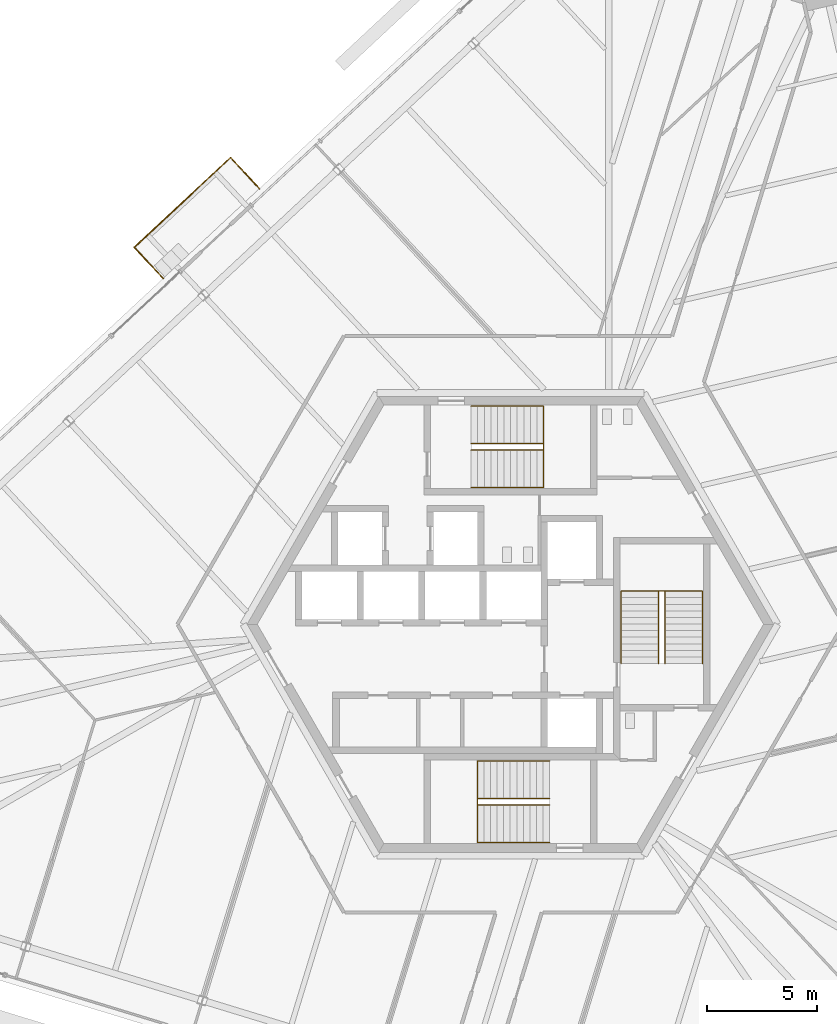
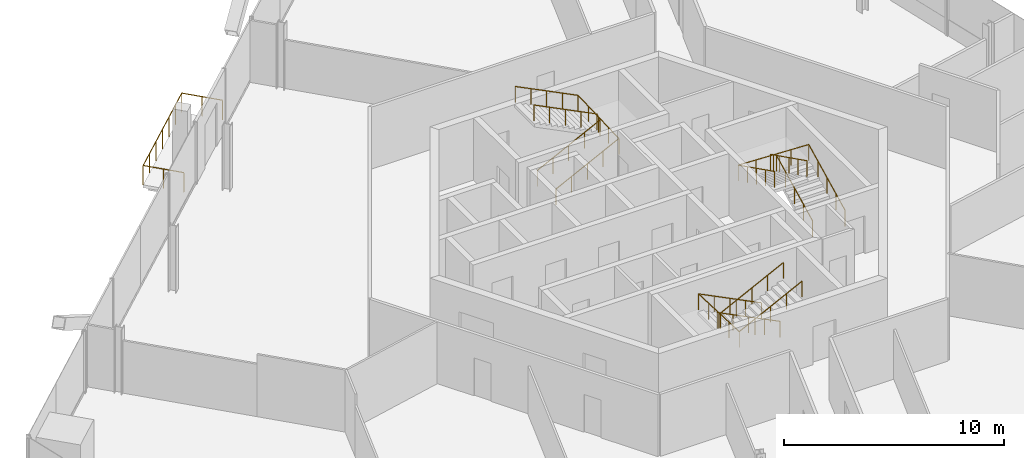
# One storey, part 14 of 17: 7 railings.
"""IFC4 building model written with IfcOpenShell, lengths in metres."""

import ifcopenshell
import ifcopenshell.guid

model = None  # the IFC model being written
_history = None  # IfcOwnerHistory: only IFC2X3 demands one
_inside = {}  # id of a spatial element -> (the spatial element, [elements in it])
_under = {}  # id of a project, library or spatial element -> (it, [spatial elements below it])
_declared = {}  # id of a project -> (the project, [libraries it declares])
_typed = {}  # id of a type object -> (the type object, [elements of that type])
_made_of = {}  # id of a material, layer set ... -> (it, [elements and type objects made of it])


def new_model(schema):
    """Start an empty IFC model of exactly this schema.

    Asked for "IFC4X3", IfcOpenShell would pick the latest addendum, in which some entities
    have other attributes; the version numbers below select the first issue.
    IFC2X3 requires an IfcOwnerHistory on every rooted entity: one is made here for all.
    """
    global model, _history
    if schema == "IFC4X3":
        model = ifcopenshell.file(schema_version=(4, 3, 0, 0))
    else:
        model = ifcopenshell.file(schema=schema)
    _inside.clear()
    _under.clear()
    _declared.clear()
    _typed.clear()
    _made_of.clear()
    _history = None
    if model.schema == "IFC2X3":
        org = make("IfcOrganization", Name="unknown")
        user = make(
            "IfcPersonAndOrganization",
            ThePerson=make("IfcPerson", FamilyName="unknown"),
            TheOrganization=org,
        )
        app = make(
            "IfcApplication",
            ApplicationDeveloper=org,
            Version="unknown",
            ApplicationFullName="unknown",
            ApplicationIdentifier="unknown",
        )
        _history = make(
            "IfcOwnerHistory",
            OwningUser=user,
            OwningApplication=app,
            ChangeAction="ADDED",
            CreationDate=0,
        )
    return model


def make(cls, **values):
    """One entity of the class cls with the attributes given. An attribute that is None is left unset."""
    return model.create_entity(
        cls, **{name: value for name, value in values.items() if value is not None}
    )


def rooted(cls, **values):
    """An entity with a GlobalId (a new one), such as an element, a storey or a relation."""
    return make(cls, GlobalId=ifcopenshell.guid.new(), OwnerHistory=_history, **values)


def si_unit(unit_type, name, prefix=None):
    """IfcSIUnit, for example si_unit("LENGTHUNIT", "METRE", prefix="MILLI")."""
    return make("IfcSIUnit", UnitType=unit_type, Prefix=prefix, Name=name)


def assignment(units):
    """IfcUnitAssignment: the units of a project."""
    return None if units is None else make("IfcUnitAssignment", Units=units)


def point(xyz):
    """IfcCartesianPoint."""
    return None if xyz is None else make("IfcCartesianPoint", Coordinates=xyz)


def direction(xyz):
    """IfcDirection."""
    return None if xyz is None else make("IfcDirection", DirectionRatios=xyz)


def frame(location, z_axis=None, x_axis=None):
    """IfcAxis2Placement3D, a coordinate frame: its origin and axes. An axis left out is left unset."""
    return make(
        "IfcAxis2Placement3D",
        Location=point(location),
        Axis=direction(z_axis),
        RefDirection=direction(x_axis),
    )


def frame_2d(location, x_axis=None):
    """IfcAxis2Placement2D, a coordinate frame in the plane: its origin and x axis."""
    return make(
        "IfcAxis2Placement2D", Location=point(location), RefDirection=direction(x_axis)
    )


def origin():
    """The frame at (0, 0, 0) with its axes left unset."""
    return frame((0.0, 0.0, 0.0))


def origin_2d():
    """The frame at (0, 0) in the plane with its x axis left unset."""
    return frame_2d((0.0, 0.0))


def place(relative_to, where):
    """IfcLocalPlacement: puts the frame where relative to a parent placement (None: the world)."""
    return make(
        "IfcLocalPlacement", PlacementRelTo=relative_to, RelativePlacement=where
    )


def context(
    kind, dimensions, precision=None, world=None, true_north=None, identifier=None
):
    """IfcGeometricRepresentationContext, for example the 3D "Model" context."""
    return make(
        "IfcGeometricRepresentationContext",
        ContextIdentifier=identifier,
        ContextType=kind,
        CoordinateSpaceDimension=dimensions,
        Precision=precision,
        WorldCoordinateSystem=world,
        TrueNorth=true_north,
    )


def subcontext(parent, identifier, kind, view, scale=None):
    """IfcGeometricRepresentationSubContext, for example "Body" below "Model"."""
    return make(
        "IfcGeometricRepresentationSubContext",
        ContextIdentifier=identifier,
        ContextType=kind,
        ParentContext=parent,
        TargetScale=scale,
        TargetView=view,
    )


def project(units=None, contexts=None):
    """IfcProject with its units and contexts."""
    return rooted(
        "IfcProject",
        Name="project",
        RepresentationContexts=contexts,
        UnitsInContext=assignment(units),
    )


def spatial(cls, under=None, at=None, **own):
    """A site, building, storey or space (cls), placed at a placement, below another one or the project."""
    s = rooted(cls, ObjectPlacement=at, **own)
    if under is not None:
        _under.setdefault(under.id(), (under, []))[1].append(s)
    return s


def profile(cls, at=None, kind="AREA", **sizes):
    """A parametric profile (cls). Its sizes go by their IFC names, for example OverallWidth=200.0."""
    return make(cls, ProfileType=kind, Position=at, **sizes)


def circle(**sizes):
    """IfcCircleProfileDef."""
    return profile("IfcCircleProfileDef", **sizes)


def extrude(swept, where, along, depth):
    """IfcExtrudedAreaSolid: the profile swept, set in the frame where, extruded along a direction by depth."""
    return make(
        "IfcExtrudedAreaSolid",
        SweptArea=swept,
        Position=where,
        ExtrudedDirection=direction(along),
        Depth=depth,
    )


def shape(context_of_items, identifier, shape_type, items):
    """IfcShapeRepresentation: the items that make up one representation, for example the "Body"."""
    return make(
        "IfcShapeRepresentation",
        ContextOfItems=context_of_items,
        RepresentationIdentifier=identifier,
        RepresentationType=shape_type,
        Items=items,
    )


def source(mapping_origin, context_of_items, identifier, shape_type, items):
    """IfcRepresentationMap: a shape defined once, which mapped items show again and again."""
    return make(
        "IfcRepresentationMap",
        MappingOrigin=mapping_origin,
        MappedRepresentation=shape(context_of_items, identifier, shape_type, items),
    )


def transform(
    local_origin,
    x_axis=None,
    y_axis=None,
    z_axis=None,
    scale=None,
    scale2=None,
    scale3=None,
    uniform=True,
):
    """IfcCartesianTransformationOperator3D, or its non-uniform kind. x_axis, y_axis, z_axis: its Axis1, 2, 3."""
    if uniform:
        return make(
            "IfcCartesianTransformationOperator3D",
            Axis1=direction(x_axis),
            Axis2=direction(y_axis),
            LocalOrigin=point(local_origin),
            Scale=scale,
            Axis3=direction(z_axis),
        )
    return make(
        "IfcCartesianTransformationOperator3DnonUniform",
        Axis1=direction(x_axis),
        Axis2=direction(y_axis),
        LocalOrigin=point(local_origin),
        Scale=scale,
        Axis3=direction(z_axis),
        Scale2=scale2,
        Scale3=scale3,
    )


def mapped(mapping_source, mapping_target):
    """IfcMappedItem: shows the shape of a source again, moved by a transform."""
    return make(
        "IfcMappedItem", MappingSource=mapping_source, MappingTarget=mapping_target
    )


def material(Name=None, Category=None):
    """IfcMaterial."""
    return make("IfcMaterial", Name=Name, Category=Category)


def made_of(thing, what):
    """Note that an element or type object is made of a material, layer set ...; save() writes the relation."""
    if what is not None:
        _made_of.setdefault(what.id(), (what, []))[1].append(thing)
    return thing


def type_object(cls, material=None, **own):
    """A type object (cls), such as IfcWallType, which elements share."""
    return made_of(rooted(cls, **own), material)


def element(
    cls,
    number,
    at=None,
    inside=None,
    cuts=None,
    type_object=None,
    material=None,
    context=None,
    identifier="Body",
    shape_type=None,
    held_by="IfcProductDefinitionShape",
    body=None,
    shapes=None,
    **own,
):
    """One element of the class cls, such as IfcWall. Its Tag is "e" and its number.

    at: its placement. inside: the storey or other place that contains it. cuts: it is an
    opening in that element (IfcRelVoidsElement). A single representation is given by context,
    identifier, shape_type and body (its items); several are given by shapes. held_by: the class
    of the entity that holds the representations. save() writes the other relations.
    """
    e = rooted(cls, Tag="e%d" % number, ObjectPlacement=at, **own)
    if body is not None:
        shapes = [shape(context, identifier, shape_type, body)]
    if shapes is not None:
        e.Representation = make(held_by, Representations=shapes)
    if inside is not None:
        _inside.setdefault(inside.id(), (inside, []))[1].append(e)
    if cuts is not None:
        rooted(
            "IfcRelVoidsElement", RelatingBuildingElement=cuts, RelatedOpeningElement=e
        )
    if type_object is not None:
        _typed.setdefault(type_object.id(), (type_object, []))[1].append(e)
    return made_of(e, material)


def aggregate(whole, parts):
    """IfcRelAggregates: a whole, such as a stair, and the parts it consists of."""
    return rooted("IfcRelAggregates", RelatingObject=whole, RelatedObjects=parts)


def save(model, path):
    """Write the relations noted so far, then the file.

    IfcRelAggregates (storeys below a building ...), IfcRelContainedInSpatialStructure (elements
    in a storey), IfcRelDefinesByType, IfcRelAssociatesMaterial and IfcRelDeclares: one each for
    every whole, place, type object, material and project.
    """
    for whole, parts in _under.values():
        aggregate(whole, parts)
    for where, things in _inside.values():
        rooted(
            "IfcRelContainedInSpatialStructure",
            RelatedElements=things,
            RelatingStructure=where,
        )
    for kind, things in _typed.values():
        rooted("IfcRelDefinesByType", RelatedObjects=things, RelatingType=kind)
    for what, things in _made_of.values():
        rooted("IfcRelAssociatesMaterial", RelatedObjects=things, RelatingMaterial=what)
    for by, libraries in _declared.values():
        rooted("IfcRelDeclares", RelatingContext=by, RelatedDefinitions=libraries)
    model.write(path)


model = new_model("IFC4")

# Units and contexts
model_context = context("Model", 3, precision=1e-05, world=origin(), true_north=direction((0.0, 1.0)))
body_context = subcontext(model_context, "Body", "Model", "MODEL_VIEW")
ifc_project = project(units=[si_unit("LENGTHUNIT", "METRE"), si_unit("AREAUNIT", "SQUARE_METRE"), si_unit("VOLUMEUNIT", "CUBIC_METRE"), si_unit("PLANEANGLEUNIT", "RADIAN"), si_unit("MASSUNIT", "GRAM", prefix="KILO")], contexts=[model_context])

# Site, building, storey
site_placement = place(None, origin())
site = spatial("IfcSite", under=ifc_project, at=site_placement, CompositionType="ELEMENT")
building_placement = place(site_placement, origin())
building = spatial("IfcBuilding", under=site, at=building_placement, Name="Triune Harvest Tower", CompositionType="ELEMENT")
storey_placement = place(building_placement, frame((0.0, 0.0, 123.5)))
storey = spatial("IfcBuildingStorey", under=building, at=storey_placement, Name="L31", CompositionType="ELEMENT", Elevation=123.5)

# Railings
ifc_material_1 = material(Name="Stainless steel AISI 316", Category="steel")
railing_type_1 = type_object("IfcRailingType", Name="Stair handrail", PredefinedType="HANDRAIL", material=ifc_material_1)
shared_shape_1 = source(origin(), body_context, "Body", "SweptSolid", [
    extrude(circle(Radius=0.02392578125, at=origin_2d()), frame((0.0, 0.0, 0.8759765625), z_axis=(0.894413956696, 0.0, 0.447240063129), x_axis=(0.0, 1.0, 0.0)), (0.0, 0.0, 1.0), 3.689697265625),
    extrude(circle(Radius=0.02392578125, at=origin_2d()), frame((3.300048828125, 0.0, 2.52587890625), z_axis=(0.0, 0.999180289278, 0.040481471304), x_axis=(-1.0, 0.0, 0.0)), (0.0, 0.0, 1.0), 3.702880859375),
    extrude(circle(Radius=0.02392578125, at=origin_2d()), frame((3.300048828125, 3.699951171875, 2.67578125), z_axis=(-0.894413956696, 0.0, 0.447240063129), x_axis=(0.0, -1.0, 0.0)), (0.0, 0.0, 1.0), 3.689697265625),
    extrude(circle(Radius=0.02099609375, at=origin_2d()), origin(), (0.0, 0.0, 1.0), 0.851806640625),
    extrude(circle(Radius=0.02099609375, at=origin_2d()), frame((0.824951171875, 0.0, 0.41259765625)), (0.0, 0.0, 1.0), 0.851806640625),
    extrude(circle(Radius=0.02099609375, at=origin_2d()), frame((1.64990234375, 0.0, 0.8251953125)), (0.0, 0.0, 1.0), 0.851806640625),
    extrude(circle(Radius=0.02099609375, at=origin_2d()), frame((2.47509765625, 0.0, 1.237548828125)), (0.0, 0.0, 1.0), 0.851806640625),
    extrude(circle(Radius=0.02099609375, at=origin_2d()), frame((3.300048828125, 0.0, 1.650146484375)), (0.0, 0.0, 1.0), 0.851806640625),
    extrude(circle(Radius=0.02099609375, at=origin_2d()), frame((3.300048828125, 0.925048828125, 1.6875)), (0.0, 0.0, 1.0), 0.851806640625),
    extrude(circle(Radius=0.02099609375, at=origin_2d()), frame((3.300048828125, 1.85009765625, 1.72509765625)), (0.0, 0.0, 1.0), 0.851806640625),
    extrude(circle(Radius=0.02099609375, at=origin_2d()), frame((3.300048828125, 2.77490234375, 1.7626953125)), (0.0, 0.0, 1.0), 0.851806640625),
    extrude(circle(Radius=0.02099609375, at=origin_2d()), frame((3.300048828125, 3.699951171875, 1.800048828125)), (0.0, 0.0, 1.0), 0.851806640625),
    extrude(circle(Radius=0.02099609375, at=origin_2d()), frame((2.47509765625, 3.699951171875, 2.212646484375)), (0.0, 0.0, 1.0), 0.851806640625),
    extrude(circle(Radius=0.02099609375, at=origin_2d()), frame((1.64990234375, 3.699951171875, 2.625)), (0.0, 0.0, 1.0), 0.851806640625),
    extrude(circle(Radius=0.02099609375, at=origin_2d()), frame((0.824951171875, 3.699951171875, 3.03759765625)), (0.0, 0.0, 1.0), 0.851806640625),
    extrude(circle(Radius=0.02099609375, at=origin_2d()), frame((0.0, 3.699951171875, 3.4501953125)), (0.0, 0.0, 1.0), 0.851806640625),
])
railing_1_placement = place(storey_placement, frame((-1.7900390625, 6.239990234375, 0.14990234375)))
element("IfcRailing", 1, at=railing_1_placement, inside=storey, type_object=railing_type_1, Name="Exit stair north wall handrail", PredefinedType="HANDRAIL", context=body_context, shape_type="MappedRepresentation", body=[
    mapped(shared_shape_1, transform((0.0, 0.0, 0.0), scale=1.0)),
])
shared_shape_2 = source(origin(), body_context, "Body", "SweptSolid", [
    extrude(circle(Radius=0.02392578125, at=origin_2d()), frame((0.0, 0.0, 0.8759765625), z_axis=(0.894413956696, 0.0, 0.447240063129), x_axis=(0.0, 1.0, 0.0)), (0.0, 0.0, 1.0), 3.689697265625),
    extrude(circle(Radius=0.02392578125, at=origin_2d()), frame((3.300048828125, 0.0, 2.52587890625), z_axis=(0.0, 0.894572720946, 0.446922417137), x_axis=(-1.0, 0.0, 0.0)), (0.0, 0.0, 1.0), 0.33544921875),
    extrude(circle(Radius=0.02392578125, at=origin_2d()), frame((3.300048828125, 0.300048828125, 2.67578125), z_axis=(-0.894413956696, 0.0, 0.447240063129), x_axis=(0.0, -1.0, 0.0)), (0.0, 0.0, 1.0), 3.689697265625),
    extrude(circle(Radius=0.02099609375, at=origin_2d()), origin(), (0.0, 0.0, 1.0), 0.851806640625),
    extrude(circle(Radius=0.02099609375, at=origin_2d()), frame((0.824951171875, 0.0, 0.41259765625)), (0.0, 0.0, 1.0), 0.851806640625),
    extrude(circle(Radius=0.02099609375, at=origin_2d()), frame((1.64990234375, 0.0, 0.8251953125)), (0.0, 0.0, 1.0), 0.851806640625),
    extrude(circle(Radius=0.02099609375, at=origin_2d()), frame((2.47509765625, 0.0, 1.237548828125)), (0.0, 0.0, 1.0), 0.851806640625),
    extrude(circle(Radius=0.02099609375, at=origin_2d()), frame((3.300048828125, 0.0, 1.650146484375)), (0.0, 0.0, 1.0), 0.851806640625),
    extrude(circle(Radius=0.02099609375, at=origin_2d()), frame((3.300048828125, 0.300048828125, 1.800048828125)), (0.0, 0.0, 1.0), 0.851806640625),
    extrude(circle(Radius=0.02099609375, at=origin_2d()), frame((2.47509765625, 0.300048828125, 2.212646484375)), (0.0, 0.0, 1.0), 0.851806640625),
    extrude(circle(Radius=0.02099609375, at=origin_2d()), frame((1.64990234375, 0.300048828125, 2.625)), (0.0, 0.0, 1.0), 0.851806640625),
    extrude(circle(Radius=0.02099609375, at=origin_2d()), frame((0.824951171875, 0.300048828125, 3.03759765625)), (0.0, 0.0, 1.0), 0.851806640625),
    extrude(circle(Radius=0.02099609375, at=origin_2d()), frame((0.0, 0.300048828125, 3.4501953125)), (0.0, 0.0, 1.0), 0.851806640625),
])
railing_2_placement = place(storey_placement, frame((-1.7900390625, 7.93994140625, 0.14990234375)))
element("IfcRailing", 2, at=railing_2_placement, inside=storey, type_object=railing_type_1, Name="Exit stair north centre handrail", PredefinedType="HANDRAIL", context=body_context, shape_type="MappedRepresentation", body=[
    mapped(shared_shape_2, transform((0.0, 0.0, 0.0), scale=1.0)),
])
shared_shape_3 = source(origin(), body_context, "Body", "SweptSolid", [
    extrude(circle(Radius=0.02392578125, at=origin_2d()), frame((0.0, 0.0, 0.8759765625), z_axis=(-0.894413956696, 0.0, 0.447240063129), x_axis=(0.0, -1.0, 0.0)), (0.0, 0.0, 1.0), 3.689697265625),
    extrude(circle(Radius=0.02392578125, at=origin_2d()), frame((-3.300048828125, 0.0, 2.52587890625), z_axis=(0.0, -0.999180289278, 0.040481471304), x_axis=(1.0, 0.0, 0.0)), (0.0, 0.0, 1.0), 3.702880859375),
    extrude(circle(Radius=0.02392578125, at=origin_2d()), frame((-3.300048828125, -3.699951171875, 2.67578125), z_axis=(0.894413956696, 0.0, 0.447240063129), x_axis=(0.0, 1.0, 0.0)), (0.0, 0.0, 1.0), 3.689697265625),
    extrude(circle(Radius=0.02099609375, at=origin_2d()), origin(), (0.0, 0.0, 1.0), 0.851806640625),
    extrude(circle(Radius=0.02099609375, at=origin_2d()), frame((-0.824951171875, 0.0, 0.41259765625)), (0.0, 0.0, 1.0), 0.851806640625),
    extrude(circle(Radius=0.02099609375, at=origin_2d()), frame((-1.64990234375, 0.0, 0.8251953125)), (0.0, 0.0, 1.0), 0.851806640625),
    extrude(circle(Radius=0.02099609375, at=origin_2d()), frame((-2.47509765625, 0.0, 1.237548828125)), (0.0, 0.0, 1.0), 0.851806640625),
    extrude(circle(Radius=0.02099609375, at=origin_2d()), frame((-3.300048828125, 0.0, 1.650146484375)), (0.0, 0.0, 1.0), 0.851806640625),
    extrude(circle(Radius=0.02099609375, at=origin_2d()), frame((-3.300048828125, -0.925048828125, 1.6875)), (0.0, 0.0, 1.0), 0.851806640625),
    extrude(circle(Radius=0.02099609375, at=origin_2d()), frame((-3.300048828125, -1.85009765625, 1.72509765625)), (0.0, 0.0, 1.0), 0.851806640625),
    extrude(circle(Radius=0.02099609375, at=origin_2d()), frame((-3.300048828125, -2.77490234375, 1.7626953125)), (0.0, 0.0, 1.0), 0.851806640625),
    extrude(circle(Radius=0.02099609375, at=origin_2d()), frame((-3.300048828125, -3.699951171875, 1.800048828125)), (0.0, 0.0, 1.0), 0.851806640625),
    extrude(circle(Radius=0.02099609375, at=origin_2d()), frame((-2.47509765625, -3.699951171875, 2.212646484375)), (0.0, 0.0, 1.0), 0.851806640625),
    extrude(circle(Radius=0.02099609375, at=origin_2d()), frame((-1.64990234375, -3.699951171875, 2.625)), (0.0, 0.0, 1.0), 0.851806640625),
    extrude(circle(Radius=0.02099609375, at=origin_2d()), frame((-0.824951171875, -3.699951171875, 3.03759765625)), (0.0, 0.0, 1.0), 0.851806640625),
    extrude(circle(Radius=0.02099609375, at=origin_2d()), frame((0.0, -3.699951171875, 3.4501953125)), (0.0, 0.0, 1.0), 0.851806640625),
])
railing_3_placement = place(storey_placement, frame((1.7900390625, -6.239990234375, 0.14990234375)))
element("IfcRailing", 3, at=railing_3_placement, inside=storey, type_object=railing_type_1, Name="Exit stair south wall handrail", PredefinedType="HANDRAIL", context=body_context, shape_type="MappedRepresentation", body=[
    mapped(shared_shape_3, transform((0.0, 0.0, 0.0), scale=1.0)),
])
shared_shape_4 = source(origin(), body_context, "Body", "SweptSolid", [
    extrude(circle(Radius=0.02392578125, at=origin_2d()), frame((0.0, 0.0, 0.8759765625), z_axis=(-0.894413956696, 0.0, 0.447240063129), x_axis=(0.0, -1.0, 0.0)), (0.0, 0.0, 1.0), 3.689697265625),
    extrude(circle(Radius=0.02392578125, at=origin_2d()), frame((-3.300048828125, 0.0, 2.52587890625), z_axis=(0.0, -0.894572720946, 0.446922417137), x_axis=(1.0, 0.0, 0.0)), (0.0, 0.0, 1.0), 0.33544921875),
    extrude(circle(Radius=0.02392578125, at=origin_2d()), frame((-3.300048828125, -0.300048828125, 2.67578125), z_axis=(0.894413956696, 0.0, 0.447240063129), x_axis=(0.0, 1.0, 0.0)), (0.0, 0.0, 1.0), 3.689697265625),
    extrude(circle(Radius=0.02099609375, at=origin_2d()), origin(), (0.0, 0.0, 1.0), 0.851806640625),
    extrude(circle(Radius=0.02099609375, at=origin_2d()), frame((-0.824951171875, 0.0, 0.41259765625)), (0.0, 0.0, 1.0), 0.851806640625),
    extrude(circle(Radius=0.02099609375, at=origin_2d()), frame((-1.64990234375, 0.0, 0.8251953125)), (0.0, 0.0, 1.0), 0.851806640625),
    extrude(circle(Radius=0.02099609375, at=origin_2d()), frame((-2.47509765625, 0.0, 1.237548828125)), (0.0, 0.0, 1.0), 0.851806640625),
    extrude(circle(Radius=0.02099609375, at=origin_2d()), frame((-3.300048828125, 0.0, 1.650146484375)), (0.0, 0.0, 1.0), 0.851806640625),
    extrude(circle(Radius=0.02099609375, at=origin_2d()), frame((-3.300048828125, -0.300048828125, 1.800048828125)), (0.0, 0.0, 1.0), 0.851806640625),
    extrude(circle(Radius=0.02099609375, at=origin_2d()), frame((-2.47509765625, -0.300048828125, 2.212646484375)), (0.0, 0.0, 1.0), 0.851806640625),
    extrude(circle(Radius=0.02099609375, at=origin_2d()), frame((-1.64990234375, -0.300048828125, 2.625)), (0.0, 0.0, 1.0), 0.851806640625),
    extrude(circle(Radius=0.02099609375, at=origin_2d()), frame((-0.824951171875, -0.300048828125, 3.03759765625)), (0.0, 0.0, 1.0), 0.851806640625),
    extrude(circle(Radius=0.02099609375, at=origin_2d()), frame((0.0, -0.300048828125, 3.4501953125)), (0.0, 0.0, 1.0), 0.851806640625),
])
railing_4_placement = place(storey_placement, frame((1.7900390625, -7.93994140625, 0.14990234375)))
element("IfcRailing", 4, at=railing_4_placement, inside=storey, type_object=railing_type_1, Name="Exit stair south centre handrail", PredefinedType="HANDRAIL", context=body_context, shape_type="MappedRepresentation", body=[
    mapped(shared_shape_4, transform((0.0, 0.0, 0.0), scale=1.0)),
])
shared_shape_5 = source(origin(), body_context, "Body", "SweptSolid", [
    extrude(circle(Radius=0.02392578125, at=origin_2d()), frame((0.0, 0.0, 0.8759765625), z_axis=(0.0, 0.894413956696, 0.447240063129), x_axis=(-1.0, 0.0, 0.0)), (0.0, 0.0, 1.0), 3.689697265625),
    extrude(circle(Radius=0.02392578125, at=origin_2d()), frame((0.0, 3.300048828125, 2.52587890625), z_axis=(-0.999180289278, 0.0, 0.040481471304), x_axis=(0.0, -1.0, 0.0)), (0.0, 0.0, 1.0), 3.702880859375),
    extrude(circle(Radius=0.02392578125, at=origin_2d()), frame((-3.699951171875, 3.300048828125, 2.67578125), z_axis=(0.0, -0.894413956696, 0.447240063129), x_axis=(1.0, 0.0, 0.0)), (0.0, 0.0, 1.0), 3.689697265625),
    extrude(circle(Radius=0.02099609375, at=origin_2d()), origin(), (0.0, 0.0, 1.0), 0.851806640625),
    extrude(circle(Radius=0.02099609375, at=origin_2d()), frame((0.0, 0.824951171875, 0.41259765625)), (0.0, 0.0, 1.0), 0.851806640625),
    extrude(circle(Radius=0.02099609375, at=origin_2d()), frame((0.0, 1.64990234375, 0.8251953125)), (0.0, 0.0, 1.0), 0.851806640625),
    extrude(circle(Radius=0.02099609375, at=origin_2d()), frame((0.0, 2.47509765625, 1.237548828125)), (0.0, 0.0, 1.0), 0.851806640625),
    extrude(circle(Radius=0.02099609375, at=origin_2d()), frame((0.0, 3.300048828125, 1.650146484375)), (0.0, 0.0, 1.0), 0.851806640625),
    extrude(circle(Radius=0.02099609375, at=origin_2d()), frame((-0.925048828125, 3.300048828125, 1.6875)), (0.0, 0.0, 1.0), 0.851806640625),
    extrude(circle(Radius=0.02099609375, at=origin_2d()), frame((-1.85009765625, 3.300048828125, 1.72509765625)), (0.0, 0.0, 1.0), 0.851806640625),
    extrude(circle(Radius=0.02099609375, at=origin_2d()), frame((-2.77490234375, 3.300048828125, 1.7626953125)), (0.0, 0.0, 1.0), 0.851806640625),
    extrude(circle(Radius=0.02099609375, at=origin_2d()), frame((-3.699951171875, 3.300048828125, 1.800048828125)), (0.0, 0.0, 1.0), 0.851806640625),
    extrude(circle(Radius=0.02099609375, at=origin_2d()), frame((-3.699951171875, 2.47509765625, 2.212646484375)), (0.0, 0.0, 1.0), 0.851806640625),
    extrude(circle(Radius=0.02099609375, at=origin_2d()), frame((-3.699951171875, 1.64990234375, 2.625)), (0.0, 0.0, 1.0), 0.851806640625),
    extrude(circle(Radius=0.02099609375, at=origin_2d()), frame((-3.699951171875, 0.824951171875, 3.03759765625)), (0.0, 0.0, 1.0), 0.851806640625),
    extrude(circle(Radius=0.02099609375, at=origin_2d()), frame((-3.699951171875, 0.0, 3.4501953125)), (0.0, 0.0, 1.0), 0.851806640625),
])
railing_5_placement = place(storey_placement, frame((8.75, -1.7900390625, 0.14990234375)))
element("IfcRailing", 5, at=railing_5_placement, inside=storey, type_object=railing_type_1, Name="Exit stair east wall handrail", PredefinedType="HANDRAIL", context=body_context, shape_type="MappedRepresentation", body=[
    mapped(shared_shape_5, transform((0.0, 0.0, 0.0), scale=1.0)),
])
shared_shape_6 = source(origin(), body_context, "Body", "SweptSolid", [
    extrude(circle(Radius=0.02392578125, at=origin_2d()), frame((0.0, 0.0, 0.8759765625), z_axis=(0.0, 0.894413956696, 0.447240063129), x_axis=(-1.0, 0.0, 0.0)), (0.0, 0.0, 1.0), 3.689697265625),
    extrude(circle(Radius=0.02392578125, at=origin_2d()), frame((0.0, 3.300048828125, 2.52587890625), z_axis=(-0.894572720946, 0.0, 0.446922417137), x_axis=(0.0, -1.0, 0.0)), (0.0, 0.0, 1.0), 0.33544921875),
    extrude(circle(Radius=0.02392578125, at=origin_2d()), frame((-0.300048828125, 3.300048828125, 2.67578125), z_axis=(0.0, -0.894413956696, 0.447240063129), x_axis=(1.0, 0.0, 0.0)), (0.0, 0.0, 1.0), 3.689697265625),
    extrude(circle(Radius=0.02099609375, at=origin_2d()), origin(), (0.0, 0.0, 1.0), 0.851806640625),
    extrude(circle(Radius=0.02099609375, at=origin_2d()), frame((0.0, 0.824951171875, 0.41259765625)), (0.0, 0.0, 1.0), 0.851806640625),
    extrude(circle(Radius=0.02099609375, at=origin_2d()), frame((0.0, 1.64990234375, 0.8251953125)), (0.0, 0.0, 1.0), 0.851806640625),
    extrude(circle(Radius=0.02099609375, at=origin_2d()), frame((0.0, 2.47509765625, 1.237548828125)), (0.0, 0.0, 1.0), 0.851806640625),
    extrude(circle(Radius=0.02099609375, at=origin_2d()), frame((0.0, 3.300048828125, 1.650146484375)), (0.0, 0.0, 1.0), 0.851806640625),
    extrude(circle(Radius=0.02099609375, at=origin_2d()), frame((-0.300048828125, 3.300048828125, 1.800048828125)), (0.0, 0.0, 1.0), 0.851806640625),
    extrude(circle(Radius=0.02099609375, at=origin_2d()), frame((-0.300048828125, 2.47509765625, 2.212646484375)), (0.0, 0.0, 1.0), 0.851806640625),
    extrude(circle(Radius=0.02099609375, at=origin_2d()), frame((-0.300048828125, 1.64990234375, 2.625)), (0.0, 0.0, 1.0), 0.851806640625),
    extrude(circle(Radius=0.02099609375, at=origin_2d()), frame((-0.300048828125, 0.824951171875, 3.03759765625)), (0.0, 0.0, 1.0), 0.851806640625),
    extrude(circle(Radius=0.02099609375, at=origin_2d()), frame((-0.300048828125, 0.0, 3.4501953125)), (0.0, 0.0, 1.0), 0.851806640625),
])
railing_6_placement = place(storey_placement, frame((7.050048828125, -1.7900390625, 0.14990234375)))
element("IfcRailing", 6, at=railing_6_placement, inside=storey, type_object=railing_type_1, Name="Exit stair east centre handrail", PredefinedType="HANDRAIL", context=body_context, shape_type="MappedRepresentation", body=[
    mapped(shared_shape_6, transform((0.0, 0.0, 0.0), scale=1.0)),
])
ifc_material_2 = material(Name="Glass", Category="glass")
railing_type_2 = type_object("IfcRailingType", Name="GD-2 balcony guard 1100", PredefinedType="GUARDRAIL", material=ifc_material_2)
shared_shape_7 = source(origin(), body_context, "Body", "SweptSolid", [
    extrude(circle(Radius=0.02392578125, at=origin_2d()), frame((0.0, 0.0, 1.076171875), z_axis=(-0.681894743179, 0.731450312205, 0.0), x_axis=(-0.731450312205, -0.681894743179, 0.0)), (0.0, 0.0, 1.0), 1.93115234375),
    extrude(circle(Radius=0.02392578125, at=origin_2d()), frame((-1.31689453125, 1.41259765625, 1.076171875), z_axis=(-0.731354232506, -0.681997790755, 0.0), x_axis=(0.681997790755, -0.731354232506, 0.0)), (0.0, 0.0, 1.0), 6.0),
    extrude(circle(Radius=0.02392578125, at=origin_2d()), frame((-5.705078125, -2.679443359375, 1.076171875), z_axis=(0.681962370145, -0.731387261105, 0.0), x_axis=(0.731387261105, 0.681962370145, 0.0)), (0.0, 0.0, 1.0), 1.931396484375),
    extrude(circle(Radius=0.02099609375, at=origin_2d()), origin(), (0.0, 0.0, 1.0), 1.052001953125),
    extrude(circle(Radius=0.02099609375, at=origin_2d()), frame((-0.658447265625, 0.706298828125, 0.0)), (0.0, 0.0, 1.0), 1.052001953125),
    extrude(circle(Radius=0.02099609375, at=origin_2d()), frame((-1.31689453125, 1.41259765625, 0.0)), (0.0, 0.0, 1.0), 1.052001953125),
    extrude(circle(Radius=0.02099609375, at=origin_2d()), frame((-2.04833984375, 0.73046875, 0.0)), (0.0, 0.0, 1.0), 1.052001953125),
    extrude(circle(Radius=0.02099609375, at=origin_2d()), frame((-2.779541015625, 0.048583984375, 0.0)), (0.0, 0.0, 1.0), 1.052001953125),
    extrude(circle(Radius=0.02099609375, at=origin_2d()), frame((-3.510986328125, -0.63330078125, 0.0)), (0.0, 0.0, 1.0), 1.052001953125),
    extrude(circle(Radius=0.02099609375, at=origin_2d()), frame((-4.242431640625, -1.3154296875, 0.0)), (0.0, 0.0, 1.0), 1.052001953125),
    extrude(circle(Radius=0.02099609375, at=origin_2d()), frame((-4.9736328125, -1.99755859375, 0.0)), (0.0, 0.0, 1.0), 1.052001953125),
    extrude(circle(Radius=0.02099609375, at=origin_2d()), frame((-5.705078125, -2.679443359375, 0.0)), (0.0, 0.0, 1.0), 1.052001953125),
    extrude(circle(Radius=0.02099609375, at=origin_2d()), frame((-5.04638671875, -3.3857421875, 0.0)), (0.0, 0.0, 1.0), 1.052001953125),
    extrude(circle(Radius=0.02099609375, at=origin_2d()), frame((-4.387939453125, -4.092041015625, 0.0)), (0.0, 0.0, 1.0), 1.052001953125),
])
railing_7_placement = place(storey_placement, frame((-11.439208984375, 19.857421875, 0.0)))
element("IfcRailing", 7, at=railing_7_placement, inside=storey, type_object=railing_type_2, Name="Balcony guard B3-F3 L31.6", PredefinedType="GUARDRAIL", context=body_context, shape_type="MappedRepresentation", body=[
    mapped(shared_shape_7, transform((0.0, 0.0, 0.0), scale=1.0)),
])

save(model, "model.ifc")
